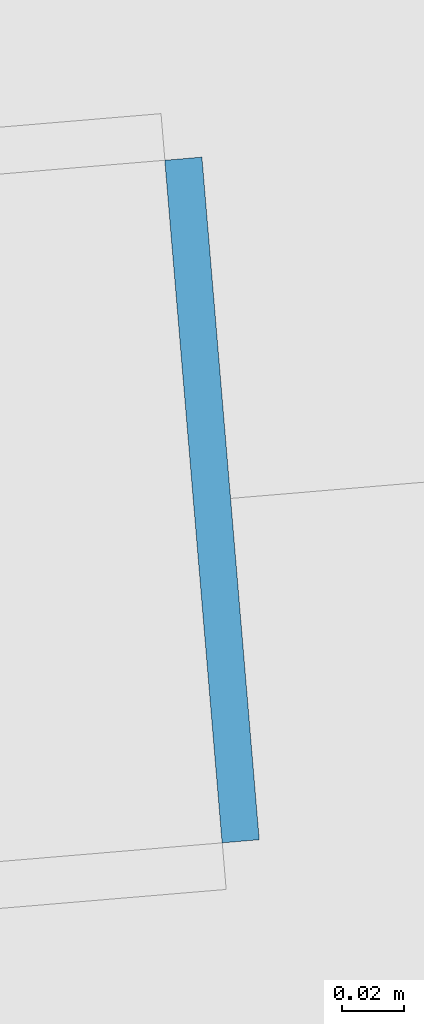
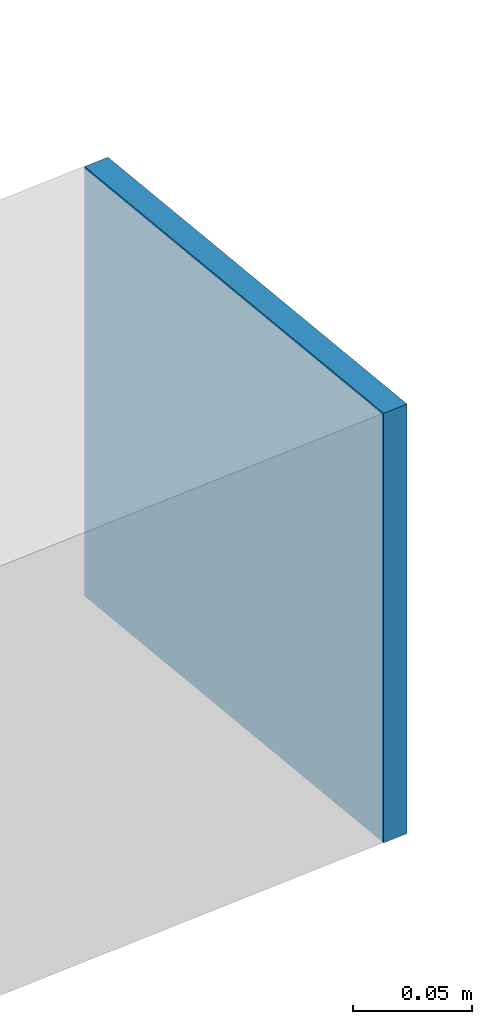
# One storey, part 31 of 39: 1 plate.
"""IFC4 building model written with IfcOpenShell, lengths in metres."""

from ifc_helpers import new_model, si_unit, direction, frame, origin, origin_2d, place, context, subcontext, project, spatial, rectangle, extrude, source, transform, mapped, material, layer, layer_set, type_object, element, save


model = new_model("IFC4")

# Units and contexts
model_context = context("Model", 3, precision=1e-05, world=origin(), true_north=direction((0.0, 1.0)))
body_context = subcontext(model_context, "Body", "Model", "MODEL_VIEW")
ifc_project = project(units=[si_unit("LENGTHUNIT", "METRE"), si_unit("AREAUNIT", "SQUARE_METRE"), si_unit("VOLUMEUNIT", "CUBIC_METRE"), si_unit("PLANEANGLEUNIT", "RADIAN"), si_unit("MASSUNIT", "GRAM", prefix="KILO")], contexts=[model_context])

# Site, building, storey
site_placement = place(None, origin())
site = spatial("IfcSite", under=ifc_project, at=site_placement, CompositionType="ELEMENT")
building_placement = place(site_placement, origin())
building = spatial("IfcBuilding", under=site, at=building_placement, Name="Taldren Reach Tower", CompositionType="ELEMENT")
storey_placement = place(building_placement, frame((0.0, 0.0, 175.699951171875)))
storey = spatial("IfcBuildingStorey", under=building, at=storey_placement, Name="L53", CompositionType="ELEMENT", Elevation=175.699951171875)

# Plate
ifc_material = material(Name="Steel Gr 450 (C450L0)", Category="steel")
ifc_layer = layer(ifc_material, 0.011962890625)
ifc_layer_set = layer_set([ifc_layer], Name="Steel Gr 450 (C450L0)")
plate_type = type_object("IfcPlateType", Name="PL-CAP-220", PredefinedType="SHEET", material=ifc_layer_set)
shared_shape = source(origin(), body_context, "Body", "SweptSolid", [
    extrude(rectangle(XDim=0.011962890625, YDim=0.219970703125, at=origin_2d()), origin(), (0.0, 0.0, 1.0), 0.219970703125),
])
plate_placement = place(storey_placement, frame((62.167724609375, 21.60498046875, 2.5400390625), z_axis=(0.0, 0.0, 1.0), x_axis=(0.99649285925, 0.083677843332, 0.0)))
element("IfcPlate", 1, at=plate_placement, inside=storey, type_object=plate_type, Name="Tie strut end cap plate B4-E2 L53", PredefinedType="SHEET", context=body_context, shape_type="MappedRepresentation", body=[
    mapped(shared_shape, transform((0.0, 0.0, 0.0), scale=1.0)),
])

save(model, "model.ifc")
